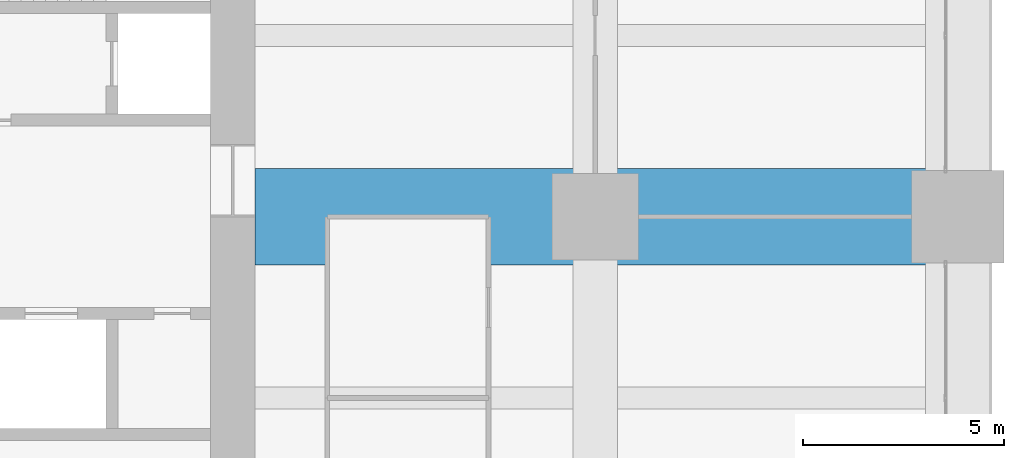
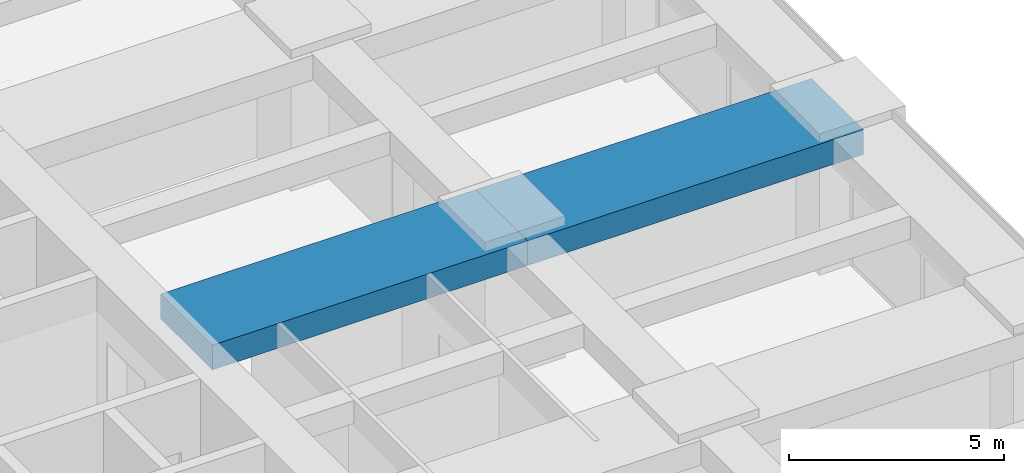
# One storey, part 21 of 44: 2 beams.
"""IFC4 building model written with IfcOpenShell, lengths in metres."""

from ifc_helpers import new_model, si_unit, direction, frame, origin, origin_2d, place, context, subcontext, project, spatial, rectangle, extrude, material, material_profile, profile_set, type_object, element, save


model = new_model("IFC4")

# Units and contexts
model_context = context("Model", 3, precision=1e-05, world=origin(), true_north=direction((0.0, 1.0)))
body_context = subcontext(model_context, "Body", "Model", "MODEL_VIEW")
ifc_project = project(units=[si_unit("LENGTHUNIT", "METRE"), si_unit("AREAUNIT", "SQUARE_METRE"), si_unit("VOLUMEUNIT", "CUBIC_METRE"), si_unit("PLANEANGLEUNIT", "RADIAN"), si_unit("MASSUNIT", "GRAM", prefix="KILO")], contexts=[model_context])

# Site, building, storey
site_placement = place(None, origin())
site = spatial("IfcSite", under=ifc_project, at=site_placement, CompositionType="ELEMENT")
building_placement = place(site_placement, origin())
building = spatial("IfcBuilding", under=site, at=building_placement, Name="Zorevar Civic Tower", CompositionType="ELEMENT")
storey_placement = place(building_placement, frame((0.0, 0.0, 63.800048828125)))
storey = spatial("IfcBuildingStorey", under=building, at=storey_placement, Name="L15", CompositionType="ELEMENT", Elevation=63.800048828125)

# Beams
ifc_material = material(Name="Concrete C50/60", Category="concrete")
ifc_material_profile = material_profile(ifc_material, rectangle(XDim=2.39990234375, YDim=0.699951171875, at=origin_2d()), Name="RC 2400x700")
ifc_profile_set = profile_set([ifc_material_profile], Name="Concrete C50/60")
beam_type = type_object("IfcBeamType", Name="Beam RC 2400x700", PredefinedType="BEAM", material=ifc_profile_set)
beam_1_placement = place(storey_placement, frame((45.550048828125, 27.0, 3.39990234375), z_axis=(1.0, 0.0, 0.0), x_axis=(0.0, 1.0, 0.0)))
element("IfcBeam", 1, at=beam_1_placement, inside=storey, type_object=beam_type, Name="Girder L16", PredefinedType="BEAM", context=body_context, shape_type="SweptSolid", body=[
    extrude(rectangle(XDim=2.39990234375, YDim=0.699951171875, at=origin_2d()), origin(), (0.0, 0.0, 1.0), 8.449951171875),
])
beam_2_placement = place(storey_placement, frame((54.0, 27.0, 3.39990234375), z_axis=(1.0, 0.0, 0.0), x_axis=(0.0, 1.0, 0.0)))
element("IfcBeam", 2, at=beam_2_placement, inside=storey, type_object=beam_type, Name="Girder L16", PredefinedType="BEAM", context=body_context, shape_type="SweptSolid", body=[
    extrude(rectangle(XDim=2.39990234375, YDim=0.699951171875, at=origin_2d()), origin(), (0.0, 0.0, 1.0), 9.0),
])

save(model, "model.ifc")
